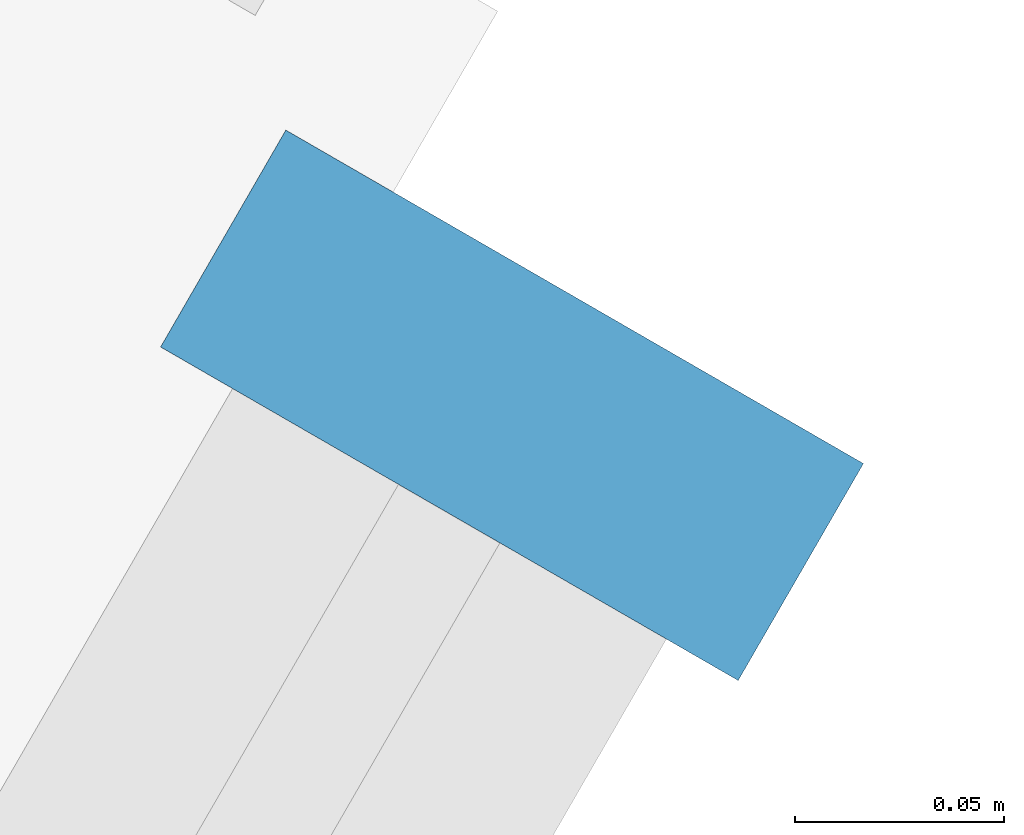
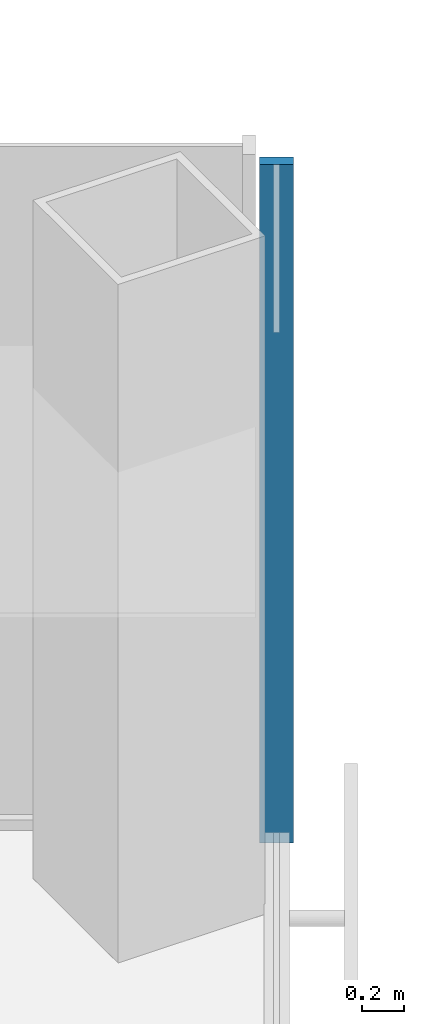
# One storey, part 9 of 18: 1 member, 1 element without a shape of its own.
"""IFC4 building model written with IfcOpenShell, lengths in metres."""

from ifc_helpers import new_model, si_unit, direction, frame, origin, origin_2d, place, context, subcontext, project, spatial, rectangle, extrude, material, material_profile, profile_set, type_object, element, aggregate, save


model = new_model("IFC4")

# Units and contexts
model_context = context("Model", 3, precision=1e-05, world=origin(), true_north=direction((0.0, 1.0)))
body_context = subcontext(model_context, "Body", "Model", "MODEL_VIEW")
ifc_project = project(units=[si_unit("LENGTHUNIT", "METRE"), si_unit("AREAUNIT", "SQUARE_METRE"), si_unit("VOLUMEUNIT", "CUBIC_METRE"), si_unit("PLANEANGLEUNIT", "RADIAN"), si_unit("MASSUNIT", "GRAM", prefix="KILO")], contexts=[model_context])

# Site, building, storey
site_placement = place(None, origin())
site = spatial("IfcSite", under=ifc_project, at=site_placement, CompositionType="ELEMENT")
building_placement = place(site_placement, origin())
building = spatial("IfcBuilding", under=site, at=building_placement, Name="Kasaneha Research Tower", CompositionType="ELEMENT")
storey_placement = place(building_placement, frame((0.0, 0.0, 115.800048828125)))
storey = spatial("IfcBuildingStorey", under=building, at=storey_placement, Name="L29", CompositionType="ELEMENT", Elevation=115.800048828125)

# Curtain wall, member
ifc_material_1 = material(Name="Glass and aluminium", Category="aluminium")
curtain_wall_type = type_object("IfcCurtainWallType", Name="Low-rise office curtain wall", PredefinedType="USERDEFINED", material=ifc_material_1)
curtain_wall_placement = place(storey_placement, origin())
curtain_wall = element("IfcCurtainWall", 1, at=curtain_wall_placement, inside=storey, type_object=curtain_wall_type, Name="CW-O1 L29 run 05a", ObjectType="UNITISED CURTAIN WALL", PredefinedType="USERDEFINED")
ifc_material_2 = material(Name="Aluminium 6063-T6", Category="aluminium")
ifc_material_profile = material_profile(ifc_material_2, rectangle(XDim=0.06005859375, YDim=0.159912109375, at=origin_2d()), Name="CW-O1 mullion 60x160")
ifc_profile_set = profile_set([ifc_material_profile], Name="Aluminium 6063-T6")
member_type = type_object("IfcMemberType", Name="CW-O1 mullion", PredefinedType="MULLION", material=ifc_profile_set)
member_placement = place(storey_placement, frame((32.012939453125, -6.39306640625, 0.0), z_axis=(0.0, 0.0, 1.0), x_axis=(0.500000011442, 0.866025397178, 0.0)))
member = element("IfcMember", 2, at=member_placement, type_object=member_type, Name="CW-O1 mullion 4", PredefinedType="MULLION", context=body_context, shape_type="SweptSolid", body=[
    extrude(rectangle(XDim=0.06005859375, YDim=0.159912109375, at=origin_2d()), origin(), (0.0, 0.0, 1.0), 3.89990234375),
])
aggregate(curtain_wall, [member])

save(model, "model.ifc")
